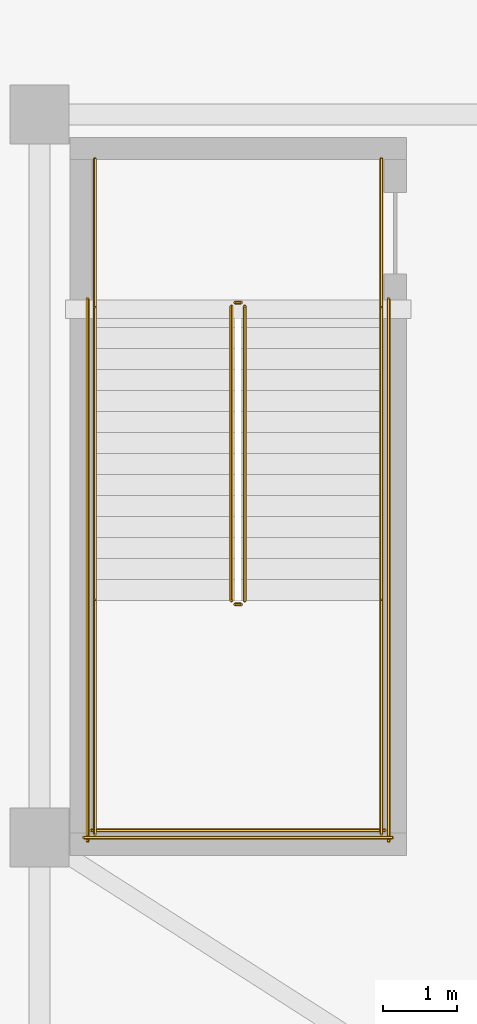
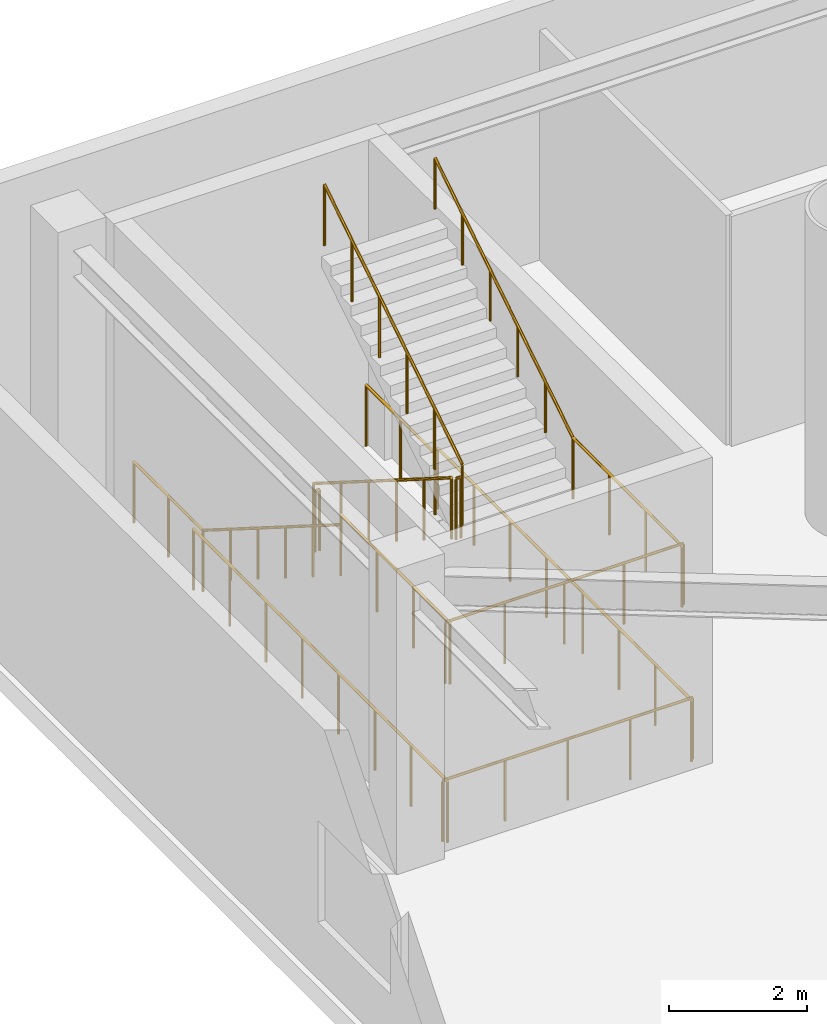
# One storey, part 14 of 16: 14 railings.
"""IFC4 building model written with IfcOpenShell, lengths in metres."""

from ifc_helpers import new_model, si_unit, direction, frame, origin, origin_2d, place, context, subcontext, project, spatial, circle, extrude, material, type_object, element, save


model = new_model("IFC4")

# Units and contexts
model_context = context("Model", 3, precision=1e-05, world=origin(), true_north=direction((0.0, 1.0)))
body_context = subcontext(model_context, "Body", "Model", "MODEL_VIEW")
ifc_project = project(units=[si_unit("LENGTHUNIT", "METRE"), si_unit("AREAUNIT", "SQUARE_METRE"), si_unit("VOLUMEUNIT", "CUBIC_METRE"), si_unit("PLANEANGLEUNIT", "RADIAN"), si_unit("MASSUNIT", "GRAM", prefix="KILO")], contexts=[model_context])

# Site, building, storey
site_placement = place(None, origin())
site = spatial("IfcSite", under=ifc_project, at=site_placement, CompositionType="ELEMENT")
building_placement = place(site_placement, origin())
building = spatial("IfcBuilding", under=site, at=building_placement, Name="Bramvorn Convention Spire", CompositionType="ELEMENT")
storey_placement = place(building_placement, frame((0.0, 0.0, 30.0)))
storey = spatial("IfcBuildingStorey", under=building, at=storey_placement, Name="L05", CompositionType="ELEMENT", Elevation=30.0)

# Railings
ifc_material_1 = material(Name="Painted Steel Balustrade & Guardrail", Category="steel")
railing_type_1 = type_object("IfcRailingType", Name="RL-STAIR-GUARD-1100", PredefinedType="GUARDRAIL", material=ifc_material_1)
railing_1_placement = place(storey_placement, frame((5.39990234375, 46.800048828125, 0.179931640625)))
element("IfcRailing", 1, at=railing_1_placement, inside=storey, type_object=railing_type_1, Name="L05 ST6 stair guard 1", PredefinedType="GUARDRAIL", context=body_context, shape_type="SweptSolid", body=[
    extrude(circle(Radius=0.02392578125, at=origin_2d()), frame((0.0, 0.0, 1.076171875), z_axis=(0.0, -0.845486444383, 0.533996884227), x_axis=(1.0, 0.0, 0.0)), (0.0, 0.0, 1.0), 4.71923828125),
    extrude(circle(Radius=0.02099609375, at=origin_2d()), origin(), (0.0, 0.0, 1.0), 1.052001953125),
    extrude(circle(Radius=0.02099609375, at=origin_2d()), frame((0.0, -0.798095703125, 0.50390625)), (0.0, 0.0, 1.0), 1.052001953125),
    extrude(circle(Radius=0.02099609375, at=origin_2d()), frame((0.0, -1.595947265625, 1.008056640625)), (0.0, 0.0, 1.0), 1.052001953125),
    extrude(circle(Radius=0.02099609375, at=origin_2d()), frame((0.0, -2.39404296875, 1.511962890625)), (0.0, 0.0, 1.0), 1.052001953125),
    extrude(circle(Radius=0.02099609375, at=origin_2d()), frame((0.0, -3.19189453125, 2.01611328125)), (0.0, 0.0, 1.0), 1.052001953125),
    extrude(circle(Radius=0.02099609375, at=origin_2d()), frame((0.0, -3.989990234375, 2.52001953125)), (0.0, 0.0, 1.0), 1.052001953125),
])
railing_2_placement = place(storey_placement, frame((5.449951171875, 42.760009765625, 2.699951171875)))
element("IfcRailing", 2, at=railing_2_placement, inside=storey, type_object=railing_type_1, Name="L05 ST6 stair guard 2", PredefinedType="GUARDRAIL", context=body_context, shape_type="SweptSolid", body=[
    extrude(circle(Radius=0.02392578125, at=origin_2d()), frame((0.0, 0.0, 1.076171875), z_axis=(1.0, 0.0, 0.0), x_axis=(0.0, 1.0, 0.0)), (0.0, 0.0, 1.0), 0.080078125),
    extrude(circle(Radius=0.02099609375, at=origin_2d()), origin(), (0.0, 0.0, 1.0), 1.052001953125),
    extrude(circle(Radius=0.02099609375, at=origin_2d()), frame((0.080078125, 0.0, 0.0)), (0.0, 0.0, 1.0), 1.052001953125),
])
for number, where, name in (
    (3, (3.550048828125, 42.81005859375, 2.699951171875), "L05 ST6 stair guard 3"),
    (4, (7.429931640625, 42.81005859375, 2.699951171875), "L05 ST6 stair guard 4"),
):
    element("IfcRailing", number, at=place(storey_placement, frame(where)), inside=storey, type_object=railing_type_1, Name=name, PredefinedType="GUARDRAIL", context=body_context, shape_type="SweptSolid", body=[
        extrude(circle(Radius=0.02392578125, at=origin_2d()), frame((0.0, 0.0, 1.076171875), z_axis=(0.0, -1.0, 0.0), x_axis=(1.0, 0.0, 0.0)), (0.0, 0.0, 1.0), 3.16015625),
        extrude(circle(Radius=0.02099609375, at=origin_2d()), origin(), (0.0, 0.0, 1.0), 1.052001953125),
        extrude(circle(Radius=0.02099609375, at=origin_2d()), frame((0.0, -1.053466796875, 0.0)), (0.0, 0.0, 1.0), 1.052001953125),
        extrude(circle(Radius=0.02099609375, at=origin_2d()), frame((0.0, -2.106689453125, 0.0)), (0.0, 0.0, 1.0), 1.052001953125),
        extrude(circle(Radius=0.02099609375, at=origin_2d()), frame((0.0, -3.16015625, 0.0)), (0.0, 0.0, 1.0), 1.052001953125),
    ])
railing_3_placement = place(storey_placement, frame((3.5, 39.699951171875, 2.699951171875)))
element("IfcRailing", 5, at=railing_3_placement, inside=storey, type_object=railing_type_1, Name="L05 ST6 stair guard 5", PredefinedType="GUARDRAIL", context=body_context, shape_type="SweptSolid", body=[
    extrude(circle(Radius=0.02392578125, at=origin_2d()), frame((0.0, 0.0, 1.076171875), z_axis=(1.0, 0.0, 0.0), x_axis=(0.0, 1.0, 0.0)), (0.0, 0.0, 1.0), 3.97998046875),
    extrude(circle(Radius=0.02099609375, at=origin_2d()), origin(), (0.0, 0.0, 1.0), 1.052001953125),
    extrude(circle(Radius=0.02099609375, at=origin_2d()), frame((0.9951171875, 0.0, 0.0)), (0.0, 0.0, 1.0), 1.052001953125),
    extrude(circle(Radius=0.02099609375, at=origin_2d()), frame((1.989990234375, 0.0, 0.0)), (0.0, 0.0, 1.0), 1.052001953125),
    extrude(circle(Radius=0.02099609375, at=origin_2d()), frame((2.98486328125, 0.0, 0.0)), (0.0, 0.0, 1.0), 1.052001953125),
    extrude(circle(Radius=0.02099609375, at=origin_2d()), frame((3.97998046875, 0.0, 0.0)), (0.0, 0.0, 1.0), 1.052001953125),
])
railing_4_placement = place(storey_placement, frame((5.580078125, 42.81005859375, 2.8798828125)))
element("IfcRailing", 6, at=railing_4_placement, inside=storey, type_object=railing_type_1, Name="L05 ST6 stair guard 6", PredefinedType="GUARDRAIL", context=body_context, shape_type="SweptSolid", body=[
    extrude(circle(Radius=0.02392578125, at=origin_2d()), frame((0.0, 0.0, 1.076171875), z_axis=(0.0, 0.845486444383, 0.533996884227), x_axis=(-1.0, 0.0, 0.0)), (0.0, 0.0, 1.0), 4.71923828125),
    extrude(circle(Radius=0.02099609375, at=origin_2d()), origin(), (0.0, 0.0, 1.0), 1.052001953125),
    extrude(circle(Radius=0.02099609375, at=origin_2d()), frame((0.0, 0.798095703125, 0.50390625)), (0.0, 0.0, 1.0), 1.052001953125),
    extrude(circle(Radius=0.02099609375, at=origin_2d()), frame((0.0, 1.595947265625, 1.008056640625)), (0.0, 0.0, 1.0), 1.052001953125),
    extrude(circle(Radius=0.02099609375, at=origin_2d()), frame((0.0, 2.39404296875, 1.511962890625)), (0.0, 0.0, 1.0), 1.052001953125),
    extrude(circle(Radius=0.02099609375, at=origin_2d()), frame((0.0, 3.19189453125, 2.01611328125)), (0.0, 0.0, 1.0), 1.052001953125),
    extrude(circle(Radius=0.02099609375, at=origin_2d()), frame((0.0, 3.989990234375, 2.52001953125)), (0.0, 0.0, 1.0), 1.052001953125),
])
railing_5_placement = place(storey_placement, frame((5.449951171875, 46.85009765625, 0.0)))
element("IfcRailing", 7, at=railing_5_placement, inside=storey, type_object=railing_type_1, Name="L05 ST6 stair guard 7", PredefinedType="GUARDRAIL", context=body_context, shape_type="SweptSolid", body=[
    extrude(circle(Radius=0.02392578125, at=origin_2d()), frame((0.0, 0.0, 1.076171875), z_axis=(1.0, 0.0, 0.0), x_axis=(0.0, 1.0, 0.0)), (0.0, 0.0, 1.0), 0.080078125),
    extrude(circle(Radius=0.02099609375, at=origin_2d()), origin(), (0.0, 0.0, 1.0), 1.052001953125),
    extrude(circle(Radius=0.02099609375, at=origin_2d()), frame((0.080078125, 0.0, 0.0)), (0.0, 0.0, 1.0), 1.052001953125),
])
for number, where, name in (
    (8, (3.550048828125, 48.800048828125, 0.0), "L05 ST6 stair guard 8"),
    (9, (7.429931640625, 48.800048828125, 0.0), "L05 ST6 stair guard 9"),
):
    element("IfcRailing", number, at=place(storey_placement, frame(where)), inside=storey, type_object=railing_type_1, Name=name, PredefinedType="GUARDRAIL", context=body_context, shape_type="SweptSolid", body=[
        extrude(circle(Radius=0.02392578125, at=origin_2d()), frame((0.0, 0.0, 1.076171875), z_axis=(0.0, -1.0, 0.0), x_axis=(1.0, 0.0, 0.0)), (0.0, 0.0, 1.0), 2.0),
        extrude(circle(Radius=0.02099609375, at=origin_2d()), origin(), (0.0, 0.0, 1.0), 1.052001953125),
        extrude(circle(Radius=0.02099609375, at=origin_2d()), frame((0.0, -1.0, 0.0)), (0.0, 0.0, 1.0), 1.052001953125),
        extrude(circle(Radius=0.02099609375, at=origin_2d()), frame((0.0, -2.0, 0.0)), (0.0, 0.0, 1.0), 1.052001953125),
    ])
for number, where, name in (
    (10, (3.449951171875, 46.89990234375, 0.0), "L05 ST6 stair guard 10"),
    (11, (7.530029296875, 46.89990234375, 0.0), "L05 ST6 stair guard 11"),
):
    element("IfcRailing", number, at=place(storey_placement, frame(where)), inside=storey, type_object=railing_type_1, Name=name, PredefinedType="GUARDRAIL", context=body_context, shape_type="SweptSolid", body=[
        extrude(circle(Radius=0.02392578125, at=origin_2d()), frame((0.0, 0.0, 1.076171875), z_axis=(0.0, -1.0, 0.0), x_axis=(1.0, 0.0, 0.0)), (0.0, 0.0, 1.0), 7.349853515625),
        extrude(circle(Radius=0.02099609375, at=origin_2d()), origin(), (0.0, 0.0, 1.0), 1.052001953125),
        extrude(circle(Radius=0.02099609375, at=origin_2d()), frame((0.0, -1.050048828125, 0.0)), (0.0, 0.0, 1.0), 1.052001953125),
        extrude(circle(Radius=0.02099609375, at=origin_2d()), frame((0.0, -2.099853515625, 0.0)), (0.0, 0.0, 1.0), 1.052001953125),
        extrude(circle(Radius=0.02099609375, at=origin_2d()), frame((0.0, -3.14990234375, 0.0)), (0.0, 0.0, 1.0), 1.052001953125),
        extrude(circle(Radius=0.02099609375, at=origin_2d()), frame((0.0, -4.199951171875, 0.0)), (0.0, 0.0, 1.0), 1.052001953125),
        extrude(circle(Radius=0.02099609375, at=origin_2d()), frame((0.0, -5.25, 0.0)), (0.0, 0.0, 1.0), 1.052001953125),
        extrude(circle(Radius=0.02099609375, at=origin_2d()), frame((0.0, -6.2998046875, 0.0)), (0.0, 0.0, 1.0), 1.052001953125),
        extrude(circle(Radius=0.02099609375, at=origin_2d()), frame((0.0, -7.349853515625, 0.0)), (0.0, 0.0, 1.0), 1.052001953125),
    ])
railing_6_placement = place(storey_placement, frame((3.39990234375, 39.60009765625, 0.0)))
element("IfcRailing", 12, at=railing_6_placement, inside=storey, type_object=railing_type_1, Name="L05 ST6 stair guard 12", PredefinedType="GUARDRAIL", context=body_context, shape_type="SweptSolid", body=[
    extrude(circle(Radius=0.02392578125, at=origin_2d()), frame((0.0, 0.0, 1.076171875), z_axis=(1.0, 0.0, 0.0), x_axis=(0.0, 1.0, 0.0)), (0.0, 0.0, 1.0), 4.18017578125),
    extrude(circle(Radius=0.02099609375, at=origin_2d()), origin(), (0.0, 0.0, 1.0), 1.052001953125),
    extrude(circle(Radius=0.02099609375, at=origin_2d()), frame((1.044921875, 0.0, 0.0)), (0.0, 0.0, 1.0), 1.052001953125),
    extrude(circle(Radius=0.02099609375, at=origin_2d()), frame((2.090087890625, 0.0, 0.0)), (0.0, 0.0, 1.0), 1.052001953125),
    extrude(circle(Radius=0.02099609375, at=origin_2d()), frame((3.13525390625, 0.0, 0.0)), (0.0, 0.0, 1.0), 1.052001953125),
    extrude(circle(Radius=0.02099609375, at=origin_2d()), frame((4.18017578125, 0.0, 0.0)), (0.0, 0.0, 1.0), 1.052001953125),
])
ifc_material_2 = material(Name="Brushed Bronze Tubular Handrail", Category="aluminium")
railing_type_2 = type_object("IfcRailingType", Name="RL-STAIR-HR-920", PredefinedType="HANDRAIL", material=ifc_material_2)
railing_7_placement = place(storey_placement, frame((3.550048828125, 46.800048828125, 0.179931640625)))
element("IfcRailing", 13, at=railing_7_placement, inside=storey, type_object=railing_type_2, Name="L05 ST6 stair handrail 1", PredefinedType="HANDRAIL", context=body_context, shape_type="SweptSolid", body=[
    extrude(circle(Radius=0.02392578125, at=origin_2d()), frame((0.0, 0.0, 0.89599609375), z_axis=(0.0, -0.845486444383, 0.533996884227), x_axis=(1.0, 0.0, 0.0)), (0.0, 0.0, 1.0), 4.71923828125),
    extrude(circle(Radius=0.02099609375, at=origin_2d()), origin(), (0.0, 0.0, 1.0), 0.871826171875),
    extrude(circle(Radius=0.02099609375, at=origin_2d()), frame((0.0, -0.798095703125, 0.50390625)), (0.0, 0.0, 1.0), 0.871826171875),
    extrude(circle(Radius=0.02099609375, at=origin_2d()), frame((0.0, -1.595947265625, 1.008056640625)), (0.0, 0.0, 1.0), 0.871826171875),
    extrude(circle(Radius=0.02099609375, at=origin_2d()), frame((0.0, -2.39404296875, 1.511962890625)), (0.0, 0.0, 1.0), 0.871826171875),
    extrude(circle(Radius=0.02099609375, at=origin_2d()), frame((0.0, -3.19189453125, 2.01611328125)), (0.0, 0.0, 1.0), 0.871826171875),
    extrude(circle(Radius=0.02099609375, at=origin_2d()), frame((0.0, -3.989990234375, 2.52001953125)), (0.0, 0.0, 1.0), 0.871826171875),
])
railing_8_placement = place(storey_placement, frame((7.429931640625, 42.81005859375, 2.8798828125)))
element("IfcRailing", 14, at=railing_8_placement, inside=storey, type_object=railing_type_2, Name="L05 ST6 stair handrail 2", PredefinedType="HANDRAIL", context=body_context, shape_type="SweptSolid", body=[
    extrude(circle(Radius=0.02392578125, at=origin_2d()), frame((0.0, 0.0, 0.89599609375), z_axis=(0.0, 0.845486444383, 0.533996884227), x_axis=(-1.0, 0.0, 0.0)), (0.0, 0.0, 1.0), 4.71923828125),
    extrude(circle(Radius=0.02099609375, at=origin_2d()), origin(), (0.0, 0.0, 1.0), 0.871826171875),
    extrude(circle(Radius=0.02099609375, at=origin_2d()), frame((0.0, 0.798095703125, 0.50390625)), (0.0, 0.0, 1.0), 0.871826171875),
    extrude(circle(Radius=0.02099609375, at=origin_2d()), frame((0.0, 1.595947265625, 1.008056640625)), (0.0, 0.0, 1.0), 0.871826171875),
    extrude(circle(Radius=0.02099609375, at=origin_2d()), frame((0.0, 2.39404296875, 1.511962890625)), (0.0, 0.0, 1.0), 0.871826171875),
    extrude(circle(Radius=0.02099609375, at=origin_2d()), frame((0.0, 3.19189453125, 2.01611328125)), (0.0, 0.0, 1.0), 0.871826171875),
    extrude(circle(Radius=0.02099609375, at=origin_2d()), frame((0.0, 3.989990234375, 2.52001953125)), (0.0, 0.0, 1.0), 0.871826171875),
])

save(model, "model.ifc")
